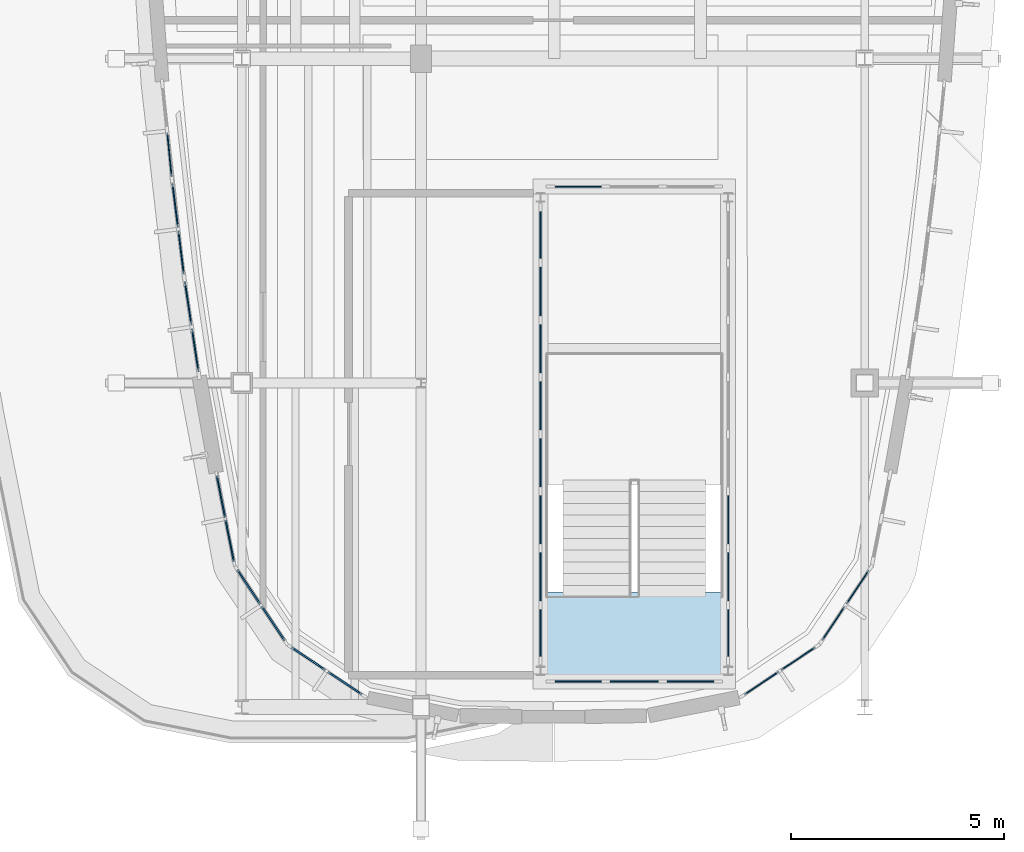
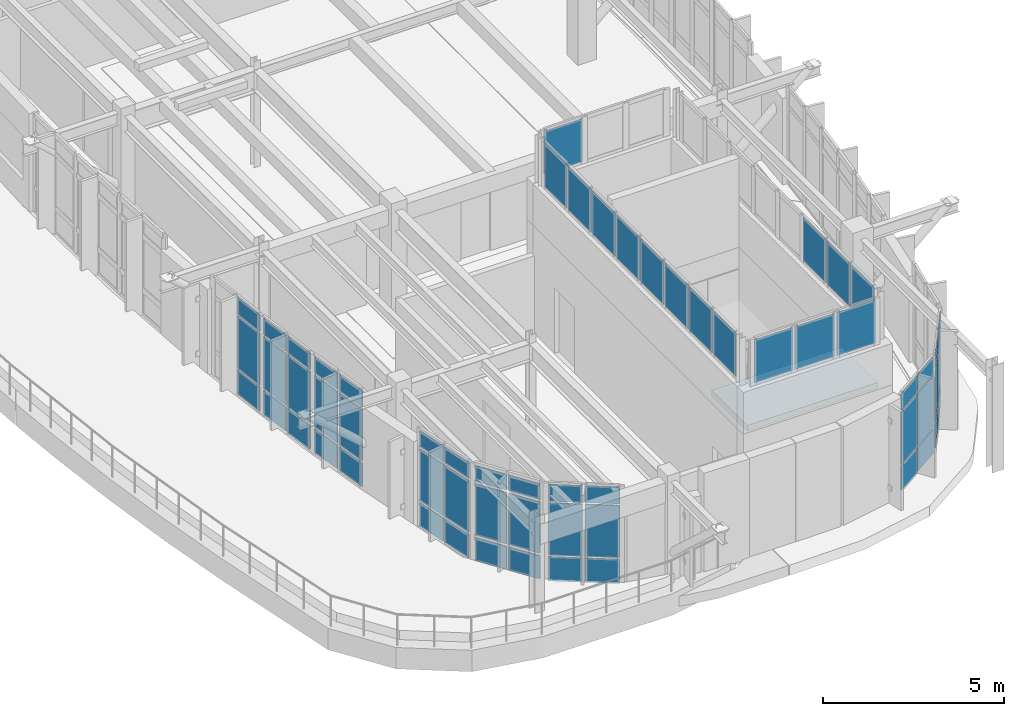
# One storey, part 12 of 20: 60 plates, 1 slab, 13 elements without a shape of their own.
"""IFC4 building model written with IfcOpenShell, lengths in metres."""

import ifcopenshell
import ifcopenshell.guid

model = None  # the IFC model being written
_history = None  # IfcOwnerHistory: only IFC2X3 demands one
_inside = {}  # id of a spatial element -> (the spatial element, [elements in it])
_under = {}  # id of a project, library or spatial element -> (it, [spatial elements below it])
_declared = {}  # id of a project -> (the project, [libraries it declares])
_typed = {}  # id of a type object -> (the type object, [elements of that type])
_made_of = {}  # id of a material, layer set ... -> (it, [elements and type objects made of it])


def new_model(schema):
    """Start an empty IFC model of exactly this schema.

    Asked for "IFC4X3", IfcOpenShell would pick the latest addendum, in which some entities
    have other attributes; the version numbers below select the first issue.
    IFC2X3 requires an IfcOwnerHistory on every rooted entity: one is made here for all.
    """
    global model, _history
    if schema == "IFC4X3":
        model = ifcopenshell.file(schema_version=(4, 3, 0, 0))
    else:
        model = ifcopenshell.file(schema=schema)
    _inside.clear()
    _under.clear()
    _declared.clear()
    _typed.clear()
    _made_of.clear()
    _history = None
    if model.schema == "IFC2X3":
        org = make("IfcOrganization", Name="unknown")
        user = make(
            "IfcPersonAndOrganization",
            ThePerson=make("IfcPerson", FamilyName="unknown"),
            TheOrganization=org,
        )
        app = make(
            "IfcApplication",
            ApplicationDeveloper=org,
            Version="unknown",
            ApplicationFullName="unknown",
            ApplicationIdentifier="unknown",
        )
        _history = make(
            "IfcOwnerHistory",
            OwningUser=user,
            OwningApplication=app,
            ChangeAction="ADDED",
            CreationDate=0,
        )
    return model


def make(cls, **values):
    """One entity of the class cls with the attributes given. An attribute that is None is left unset."""
    return model.create_entity(
        cls, **{name: value for name, value in values.items() if value is not None}
    )


def rooted(cls, **values):
    """An entity with a GlobalId (a new one), such as an element, a storey or a relation."""
    return make(cls, GlobalId=ifcopenshell.guid.new(), OwnerHistory=_history, **values)


def si_unit(unit_type, name, prefix=None):
    """IfcSIUnit, for example si_unit("LENGTHUNIT", "METRE", prefix="MILLI")."""
    return make("IfcSIUnit", UnitType=unit_type, Prefix=prefix, Name=name)


def assignment(units):
    """IfcUnitAssignment: the units of a project."""
    return None if units is None else make("IfcUnitAssignment", Units=units)


def point(xyz):
    """IfcCartesianPoint."""
    return None if xyz is None else make("IfcCartesianPoint", Coordinates=xyz)


def direction(xyz):
    """IfcDirection."""
    return None if xyz is None else make("IfcDirection", DirectionRatios=xyz)


def frame(location, z_axis=None, x_axis=None):
    """IfcAxis2Placement3D, a coordinate frame: its origin and axes. An axis left out is left unset."""
    return make(
        "IfcAxis2Placement3D",
        Location=point(location),
        Axis=direction(z_axis),
        RefDirection=direction(x_axis),
    )


def frame_2d(location, x_axis=None):
    """IfcAxis2Placement2D, a coordinate frame in the plane: its origin and x axis."""
    return make(
        "IfcAxis2Placement2D", Location=point(location), RefDirection=direction(x_axis)
    )


def origin():
    """The frame at (0, 0, 0) with its axes left unset."""
    return frame((0.0, 0.0, 0.0))


def origin_2d():
    """The frame at (0, 0) in the plane with its x axis left unset."""
    return frame_2d((0.0, 0.0))


def place(relative_to, where):
    """IfcLocalPlacement: puts the frame where relative to a parent placement (None: the world)."""
    return make(
        "IfcLocalPlacement", PlacementRelTo=relative_to, RelativePlacement=where
    )


def context(
    kind, dimensions, precision=None, world=None, true_north=None, identifier=None
):
    """IfcGeometricRepresentationContext, for example the 3D "Model" context."""
    return make(
        "IfcGeometricRepresentationContext",
        ContextIdentifier=identifier,
        ContextType=kind,
        CoordinateSpaceDimension=dimensions,
        Precision=precision,
        WorldCoordinateSystem=world,
        TrueNorth=true_north,
    )


def subcontext(parent, identifier, kind, view, scale=None):
    """IfcGeometricRepresentationSubContext, for example "Body" below "Model"."""
    return make(
        "IfcGeometricRepresentationSubContext",
        ContextIdentifier=identifier,
        ContextType=kind,
        ParentContext=parent,
        TargetScale=scale,
        TargetView=view,
    )


def project(units=None, contexts=None):
    """IfcProject with its units and contexts."""
    return rooted(
        "IfcProject",
        Name="project",
        RepresentationContexts=contexts,
        UnitsInContext=assignment(units),
    )


def spatial(cls, under=None, at=None, **own):
    """A site, building, storey or space (cls), placed at a placement, below another one or the project."""
    s = rooted(cls, ObjectPlacement=at, **own)
    if under is not None:
        _under.setdefault(under.id(), (under, []))[1].append(s)
    return s


def polyline(points):
    """IfcPolyline through the points."""
    return make("IfcPolyline", Points=[point(p) for p in points])


def profile(cls, at=None, kind="AREA", **sizes):
    """A parametric profile (cls). Its sizes go by their IFC names, for example OverallWidth=200.0."""
    return make(cls, ProfileType=kind, Position=at, **sizes)


def rectangle(**sizes):
    """IfcRectangleProfileDef."""
    return profile("IfcRectangleProfileDef", **sizes)


def outline(outer, holes=None, kind="AREA"):
    """IfcArbitraryClosedProfileDef: a profile drawn as a closed curve; with holes, ...WithVoids."""
    if holes is None:
        return make("IfcArbitraryClosedProfileDef", ProfileType=kind, OuterCurve=outer)
    return make(
        "IfcArbitraryProfileDefWithVoids",
        ProfileType=kind,
        OuterCurve=outer,
        InnerCurves=holes,
    )


def extrude(swept, where, along, depth):
    """IfcExtrudedAreaSolid: the profile swept, set in the frame where, extruded along a direction by depth."""
    return make(
        "IfcExtrudedAreaSolid",
        SweptArea=swept,
        Position=where,
        ExtrudedDirection=direction(along),
        Depth=depth,
    )


def shape(context_of_items, identifier, shape_type, items):
    """IfcShapeRepresentation: the items that make up one representation, for example the "Body"."""
    return make(
        "IfcShapeRepresentation",
        ContextOfItems=context_of_items,
        RepresentationIdentifier=identifier,
        RepresentationType=shape_type,
        Items=items,
    )


def material(Name=None, Category=None):
    """IfcMaterial."""
    return make("IfcMaterial", Name=Name, Category=Category)


def layer(
    of_material, thickness, ventilated=None, Name=None, Category=None, Priority=None
):
    """IfcMaterialLayer: one layer of a wall or slab, of a material (None: an air gap)."""
    return make(
        "IfcMaterialLayer",
        Material=of_material,
        LayerThickness=thickness,
        IsVentilated=ventilated,
        Name=Name,
        Category=Category,
        Priority=Priority,
    )


def layer_set(layers, Name=None):
    """IfcMaterialLayerSet."""
    return make("IfcMaterialLayerSet", MaterialLayers=layers, LayerSetName=Name)


def made_of(thing, what):
    """Note that an element or type object is made of a material, layer set ...; save() writes the relation."""
    if what is not None:
        _made_of.setdefault(what.id(), (what, []))[1].append(thing)
    return thing


def type_object(cls, material=None, **own):
    """A type object (cls), such as IfcWallType, which elements share."""
    return made_of(rooted(cls, **own), material)


def element(
    cls,
    number,
    at=None,
    inside=None,
    cuts=None,
    type_object=None,
    material=None,
    context=None,
    identifier="Body",
    shape_type=None,
    held_by="IfcProductDefinitionShape",
    body=None,
    shapes=None,
    **own,
):
    """One element of the class cls, such as IfcWall. Its Tag is "e" and its number.

    at: its placement. inside: the storey or other place that contains it. cuts: it is an
    opening in that element (IfcRelVoidsElement). A single representation is given by context,
    identifier, shape_type and body (its items); several are given by shapes. held_by: the class
    of the entity that holds the representations. save() writes the other relations.
    """
    e = rooted(cls, Tag="e%d" % number, ObjectPlacement=at, **own)
    if body is not None:
        shapes = [shape(context, identifier, shape_type, body)]
    if shapes is not None:
        e.Representation = make(held_by, Representations=shapes)
    if inside is not None:
        _inside.setdefault(inside.id(), (inside, []))[1].append(e)
    if cuts is not None:
        rooted(
            "IfcRelVoidsElement", RelatingBuildingElement=cuts, RelatedOpeningElement=e
        )
    if type_object is not None:
        _typed.setdefault(type_object.id(), (type_object, []))[1].append(e)
    return made_of(e, material)


def aggregate(whole, parts):
    """IfcRelAggregates: a whole, such as a stair, and the parts it consists of."""
    return rooted("IfcRelAggregates", RelatingObject=whole, RelatedObjects=parts)


def save(model, path):
    """Write the relations noted so far, then the file.

    IfcRelAggregates (storeys below a building ...), IfcRelContainedInSpatialStructure (elements
    in a storey), IfcRelDefinesByType, IfcRelAssociatesMaterial and IfcRelDeclares: one each for
    every whole, place, type object, material and project.
    """
    for whole, parts in _under.values():
        aggregate(whole, parts)
    for where, things in _inside.values():
        rooted(
            "IfcRelContainedInSpatialStructure",
            RelatedElements=things,
            RelatingStructure=where,
        )
    for kind, things in _typed.values():
        rooted("IfcRelDefinesByType", RelatedObjects=things, RelatingType=kind)
    for what, things in _made_of.values():
        rooted("IfcRelAssociatesMaterial", RelatedObjects=things, RelatingMaterial=what)
    for by, libraries in _declared.values():
        rooted("IfcRelDeclares", RelatingContext=by, RelatedDefinitions=libraries)
    model.write(path)


model = new_model("IFC4")

# Units and contexts
model_context = context("Model", 3, precision=1e-05, world=origin(), true_north=direction((0.0, 1.0)))
body_context = subcontext(model_context, "Body", "Model", "MODEL_VIEW")
ifc_project = project(units=[si_unit("LENGTHUNIT", "METRE"), si_unit("AREAUNIT", "SQUARE_METRE"), si_unit("VOLUMEUNIT", "CUBIC_METRE"), si_unit("PLANEANGLEUNIT", "RADIAN"), si_unit("MASSUNIT", "GRAM", prefix="KILO")], contexts=[model_context])

# Site, building, storey
site_placement = place(None, origin())
site = spatial("IfcSite", under=ifc_project, at=site_placement, CompositionType="ELEMENT")
building_placement = place(site_placement, origin())
building = spatial("IfcBuilding", under=site, at=building_placement, Name="Corveleigh Park Community Centre", CompositionType="ELEMENT")
storey_placement = place(building_placement, frame((0.0, 0.0, 19.800048828125)))
storey = spatial("IfcBuildingStorey", under=building, at=storey_placement, Name="L05", CompositionType="ELEMENT", Elevation=19.800048828125)

# Curtain wall, plates
ifc_material_1 = material(Name="Anodised aluminium 6063-T6", Category="aluminium")
curtain_wall_type = type_object("IfcCurtainWallType", Name="CW-SYS-V4-L03", PredefinedType="NOTDEFINED", material=ifc_material_1)
curtain_wall_1_placement = place(storey_placement, origin())
curtain_wall_1 = element("IfcCurtainWall", 1, at=curtain_wall_1_placement, inside=storey, type_object=curtain_wall_type, Name="V4 L05 Curtain Wall 471", PredefinedType="NOTDEFINED")
ifc_material_2 = material(Name="Low-E double glazing", Category="glass")
ifc_layer_1 = layer(ifc_material_2, 0.028076171875, Name="Low-E double glazing", Category="glass")
ifc_layer_set_1 = layer_set([ifc_layer_1], Name="Low-E double glazing")
plate_type_1 = type_object("IfcPlateType", Name="CWP-GLZ-28", PredefinedType="CURTAIN_PANEL", material=ifc_layer_set_1)
plate_1_placement = place(storey_placement, frame((166.839599609375, 59.735595703125, 0.059814453125), z_axis=(0.0, 0.0, 1.0), x_axis=(-0.831544296886, -0.555458443376, 0.0)))
plate_1 = element("IfcPlate", 2, at=plate_1_placement, type_object=plate_type_1, Name="CW09 panel 1.1", PredefinedType="CURTAIN_PANEL", context=body_context, shape_type="SweptSolid", body=[
    extrude(rectangle(XDim=0.9599609375, YDim=0.028076171875, at=origin_2d()), origin(), (0.0, 0.0, 1.0), 0.81005859375),
])
plate_2_placement = place(storey_placement, frame((166.839599609375, 59.735595703125, 0.929931640625), z_axis=(0.0, 0.0, 1.0), x_axis=(-0.831544296886, -0.555458443376, 0.0)))
plate_2 = element("IfcPlate", 3, at=plate_2_placement, type_object=plate_type_1, Name="CW09 panel 1.2", PredefinedType="CURTAIN_PANEL", context=body_context, shape_type="SweptSolid", body=[
    extrude(rectangle(XDim=0.9599609375, YDim=0.028076171875, at=origin_2d()), origin(), (0.0, 0.0, 1.0), 1.75390625),
])
plate_3_placement = place(storey_placement, frame((166.839599609375, 59.735595703125, 2.743896484375), z_axis=(0.0, 0.0, 1.0), x_axis=(-0.831544296886, -0.555458443376, 0.0)))
plate_3 = element("IfcPlate", 4, at=plate_3_placement, type_object=plate_type_1, Name="CW09 panel 1.3", PredefinedType="CURTAIN_PANEL", context=body_context, shape_type="SweptSolid", body=[
    extrude(rectangle(XDim=0.9599609375, YDim=0.028076171875, at=origin_2d()), origin(), (0.0, 0.0, 1.0), 0.56005859375),
])
plate_4_placement = place(storey_placement, frame((165.9833984375, 59.16357421875, 0.059814453125), z_axis=(0.0, 0.0, 1.0), x_axis=(-0.831544296886, -0.555458443376, 0.0)))
plate_4 = element("IfcPlate", 5, at=plate_4_placement, type_object=plate_type_1, Name="CW09 panel 2.1", PredefinedType="CURTAIN_PANEL", context=body_context, shape_type="SweptSolid", body=[
    extrude(rectangle(XDim=0.9599609375, YDim=0.028076171875, at=origin_2d()), origin(), (0.0, 0.0, 1.0), 0.81005859375),
])
plate_5_placement = place(storey_placement, frame((165.9833984375, 59.16357421875, 0.929931640625), z_axis=(0.0, 0.0, 1.0), x_axis=(-0.831544296886, -0.555458443376, 0.0)))
plate_5 = element("IfcPlate", 6, at=plate_5_placement, type_object=plate_type_1, Name="CW09 panel 2.2", PredefinedType="CURTAIN_PANEL", context=body_context, shape_type="SweptSolid", body=[
    extrude(rectangle(XDim=0.9599609375, YDim=0.028076171875, at=origin_2d()), origin(), (0.0, 0.0, 1.0), 1.75390625),
])
plate_6_placement = place(storey_placement, frame((165.9833984375, 59.16357421875, 2.743896484375), z_axis=(0.0, 0.0, 1.0), x_axis=(-0.831544296886, -0.555458443376, 0.0)))
plate_6 = element("IfcPlate", 7, at=plate_6_placement, type_object=plate_type_1, Name="CW09 panel 2.3", PredefinedType="CURTAIN_PANEL", context=body_context, shape_type="SweptSolid", body=[
    extrude(rectangle(XDim=0.9599609375, YDim=0.028076171875, at=origin_2d()), origin(), (0.0, 0.0, 1.0), 0.56005859375),
])
aggregate(curtain_wall_1, [plate_1, plate_2, plate_3, plate_4, plate_5, plate_6])

curtain_wall_2_placement = place(storey_placement, origin())
curtain_wall_2 = element("IfcCurtainWall", 8, at=curtain_wall_2_placement, inside=storey, type_object=curtain_wall_type, Name="V4 L05 Curtain Wall 472", PredefinedType="NOTDEFINED")
plate_7_placement = place(storey_placement, frame((168.23583984375, 61.415771484375, 0.06494140625), z_axis=(0.0, 0.0, 1.0), x_axis=(-0.555458443376, -0.831544296886, 0.0)))
plate_7 = element("IfcPlate", 9, at=plate_7_placement, type_object=plate_type_1, Name="CW09 panel 1.1", PredefinedType="CURTAIN_PANEL", context=body_context, shape_type="SweptSolid", body=[
    extrude(rectangle(XDim=0.952392578125, YDim=0.028076171875, at=origin_2d()), origin(), (0.0, 0.0, 1.0), 0.802490234375),
])
plate_8_placement = place(storey_placement, frame((168.23583984375, 61.415771484375, 0.932373046875), z_axis=(0.0, 0.0, 1.0), x_axis=(-0.555458443376, -0.831544296886, 0.0)))
plate_8 = element("IfcPlate", 10, at=plate_8_placement, type_object=plate_type_1, Name="CW09 panel 1.2", PredefinedType="CURTAIN_PANEL", context=body_context, shape_type="SweptSolid", body=[
    extrude(rectangle(XDim=0.952392578125, YDim=0.028076171875, at=origin_2d()), origin(), (0.0, 0.0, 1.0), 1.7490234375),
])
plate_9_placement = place(storey_placement, frame((168.23583984375, 61.415771484375, 2.74658203125), z_axis=(0.0, 0.0, 1.0), x_axis=(-0.555458443376, -0.831544296886, 0.0)))
plate_9 = element("IfcPlate", 11, at=plate_9_placement, type_object=plate_type_1, Name="CW09 panel 1.3", PredefinedType="CURTAIN_PANEL", context=body_context, shape_type="SweptSolid", body=[
    extrude(rectangle(XDim=0.952392578125, YDim=0.028076171875, at=origin_2d()), origin(), (0.0, 0.0, 1.0), 0.552490234375),
])
plate_10_placement = place(storey_placement, frame((167.665283203125, 60.561279296875, 0.06494140625), z_axis=(0.0, 0.0, 1.0), x_axis=(-0.555458443376, -0.831544296886, 0.0)))
plate_10 = element("IfcPlate", 12, at=plate_10_placement, type_object=plate_type_1, Name="CW09 panel 2.1", PredefinedType="CURTAIN_PANEL", context=body_context, shape_type="SweptSolid", body=[
    extrude(rectangle(XDim=0.952392578125, YDim=0.028076171875, at=origin_2d()), origin(), (0.0, 0.0, 1.0), 0.802490234375),
])
plate_11_placement = place(storey_placement, frame((167.665283203125, 60.561279296875, 0.932373046875), z_axis=(0.0, 0.0, 1.0), x_axis=(-0.555458443376, -0.831544296886, 0.0)))
plate_11 = element("IfcPlate", 13, at=plate_11_placement, type_object=plate_type_1, Name="CW09 panel 2.2", PredefinedType="CURTAIN_PANEL", context=body_context, shape_type="SweptSolid", body=[
    extrude(rectangle(XDim=0.952392578125, YDim=0.028076171875, at=origin_2d()), origin(), (0.0, 0.0, 1.0), 1.7490234375),
])
plate_12_placement = place(storey_placement, frame((167.665283203125, 60.561279296875, 2.74658203125), z_axis=(0.0, 0.0, 1.0), x_axis=(-0.555458443376, -0.831544296886, 0.0)))
plate_12 = element("IfcPlate", 14, at=plate_12_placement, type_object=plate_type_1, Name="CW09 panel 2.3", PredefinedType="CURTAIN_PANEL", context=body_context, shape_type="SweptSolid", body=[
    extrude(rectangle(XDim=0.952392578125, YDim=0.028076171875, at=origin_2d()), origin(), (0.0, 0.0, 1.0), 0.552490234375),
])
aggregate(curtain_wall_2, [plate_7, plate_8, plate_9, plate_10, plate_11, plate_12])

curtain_wall_3_placement = place(storey_placement, origin())
curtain_wall_3 = element("IfcCurtainWall", 15, at=curtain_wall_3_placement, inside=storey, type_object=curtain_wall_type, Name="V4 L05 Curtain Wall 496", PredefinedType="NOTDEFINED")
plate_13_placement = place(storey_placement, frame((152.102783203125, 71.552978515625, 0.059814453125), z_axis=(0.0, 0.0, 1.0), x_axis=(-0.099719288676, 0.995015609659, 0.0)))
plate_13 = element("IfcPlate", 16, at=plate_13_placement, type_object=plate_type_1, Name="CW09 panel 1.1", PredefinedType="CURTAIN_PANEL", context=body_context, shape_type="SweptSolid", body=[
    extrude(rectangle(XDim=1.03564453125, YDim=0.028076171875, at=origin_2d()), origin(), (0.0, 0.0, 1.0), 0.81005859375),
])
plate_14_placement = place(storey_placement, frame((152.102783203125, 71.552978515625, 0.929931640625), z_axis=(0.0, 0.0, 1.0), x_axis=(-0.099719288676, 0.995015609659, 0.0)))
plate_14 = element("IfcPlate", 17, at=plate_14_placement, type_object=plate_type_1, Name="CW09 panel 1.2", PredefinedType="CURTAIN_PANEL", context=body_context, shape_type="SweptSolid", body=[
    extrude(rectangle(XDim=1.03564453125, YDim=0.028076171875, at=origin_2d()), origin(), (0.0, 0.0, 1.0), 1.75390625),
])
plate_15_placement = place(storey_placement, frame((152.102783203125, 71.552978515625, 2.743896484375), z_axis=(0.0, 0.0, 1.0), x_axis=(-0.099719288676, 0.995015609659, 0.0)))
plate_15 = element("IfcPlate", 18, at=plate_15_placement, type_object=plate_type_1, Name="CW09 panel 1.3", PredefinedType="CURTAIN_PANEL", context=body_context, shape_type="SweptSolid", body=[
    extrude(rectangle(XDim=1.03564453125, YDim=0.028076171875, at=origin_2d()), origin(), (0.0, 0.0, 1.0), 0.56005859375),
])
aggregate(curtain_wall_3, [plate_13, plate_14, plate_15])

curtain_wall_4_placement = place(storey_placement, origin())
curtain_wall_4 = element("IfcCurtainWall", 19, at=curtain_wall_4_placement, inside=storey, type_object=curtain_wall_type, Name="Crown Lantern S Clerestory", PredefinedType="NOTDEFINED")
plate_16_placement = place(storey_placement, frame((161.68408203125, 59.199951171875, 5.06494140625), z_axis=(0.0, 0.0, 1.0), x_axis=(1.0, 0.0, 0.0)))
plate_16 = element("IfcPlate", 20, at=plate_16_placement, type_object=plate_type_1, Name="CW09 panel 1.1", PredefinedType="CURTAIN_PANEL", context=body_context, shape_type="SweptSolid", body=[
    extrude(rectangle(XDim=1.228271484375, YDim=0.028076171875, at=origin_2d()), origin(), (0.0, 0.0, 1.0), 1.449951171875),
])
plate_17_placement = place(storey_placement, frame((163.0, 59.199951171875, 5.06494140625), z_axis=(0.0, 0.0, 1.0), x_axis=(1.0, 0.0, 0.0)))
plate_17 = element("IfcPlate", 21, at=plate_17_placement, type_object=plate_type_1, Name="CW09 panel 2.1", PredefinedType="CURTAIN_PANEL", context=body_context, shape_type="SweptSolid", body=[
    extrude(rectangle(XDim=1.263427734375, YDim=0.028076171875, at=origin_2d()), origin(), (0.0, 0.0, 1.0), 1.449951171875),
])
plate_18_placement = place(storey_placement, frame((164.31591796875, 59.199951171875, 5.06494140625), z_axis=(0.0, 0.0, 1.0), x_axis=(1.0, 0.0, 0.0)))
plate_18 = element("IfcPlate", 22, at=plate_18_placement, type_object=plate_type_1, Name="CW09 panel 3.1", PredefinedType="CURTAIN_PANEL", context=body_context, shape_type="SweptSolid", body=[
    extrude(rectangle(XDim=1.228271484375, YDim=0.028076171875, at=origin_2d()), origin(), (0.0, 0.0, 1.0), 1.449951171875),
])
aggregate(curtain_wall_4, [plate_16, plate_17, plate_18])

# Curtain wall, plate
curtain_wall_5_placement = place(storey_placement, origin())
curtain_wall_5 = element("IfcCurtainWall", 23, at=curtain_wall_5_placement, inside=storey, type_object=curtain_wall_type, Name="Crown Lantern N Clerestory", PredefinedType="NOTDEFINED")
plate_19_placement = place(storey_placement, frame((161.68408203125, 70.800048828125, 5.06494140625), z_axis=(0.0, 0.0, 1.0), x_axis=(-1.0, 0.0, 0.0)))
plate_19 = element("IfcPlate", 24, at=plate_19_placement, type_object=plate_type_1, Name="CW09 panel 3.1", PredefinedType="CURTAIN_PANEL", context=body_context, shape_type="SweptSolid", body=[
    extrude(rectangle(XDim=1.228271484375, YDim=0.028076171875, at=origin_2d()), origin(), (0.0, 0.0, 1.0), 1.449951171875),
])
aggregate(curtain_wall_5, [plate_19])

# Curtain wall, plates
curtain_wall_6_placement = place(storey_placement, origin())
curtain_wall_6 = element("IfcCurtainWall", 25, at=curtain_wall_6_placement, inside=storey, type_object=curtain_wall_type, Name="Crown Lantern E Clerestory", PredefinedType="NOTDEFINED")
plate_20_placement = place(storey_placement, frame((165.199951171875, 60.336181640625, 5.06494140625), z_axis=(0.0, 0.0, 1.0), x_axis=(0.0, 1.0, 0.0)))
plate_20 = element("IfcPlate", 26, at=plate_20_placement, type_object=plate_type_1, Name="CW09 panel 1.1", PredefinedType="CURTAIN_PANEL", context=body_context, shape_type="SweptSolid", body=[
    extrude(rectangle(XDim=1.232421875, YDim=0.028076171875, at=origin_2d()), origin(), (0.0, 0.0, 1.0), 1.449951171875),
])
plate_21_placement = place(storey_placement, frame((165.199951171875, 61.65625, 5.06494140625), z_axis=(0.0, 0.0, 1.0), x_axis=(0.0, 1.0, 0.0)))
plate_21 = element("IfcPlate", 27, at=plate_21_placement, type_object=plate_type_1, Name="CW09 panel 2.1", PredefinedType="CURTAIN_PANEL", context=body_context, shape_type="SweptSolid", body=[
    extrude(rectangle(XDim=1.267578125, YDim=0.028076171875, at=origin_2d()), origin(), (0.0, 0.0, 1.0), 1.449951171875),
])
plate_22_placement = place(storey_placement, frame((165.199951171875, 62.99365234375, 5.06494140625), z_axis=(0.0, 0.0, 1.0), x_axis=(0.0, 1.0, 0.0)))
plate_22 = element("IfcPlate", 28, at=plate_22_placement, type_object=plate_type_1, Name="CW09 panel 3.1", PredefinedType="CURTAIN_PANEL", context=body_context, shape_type="SweptSolid", body=[
    extrude(rectangle(XDim=1.267578125, YDim=0.028076171875, at=origin_2d()), origin(), (0.0, 0.0, 1.0), 1.449951171875),
])
aggregate(curtain_wall_6, [plate_20, plate_21, plate_22])

curtain_wall_7_placement = place(storey_placement, origin())
curtain_wall_7 = element("IfcCurtainWall", 29, at=curtain_wall_7_placement, inside=storey, type_object=curtain_wall_type, Name="Crown Lantern W Clerestory", PredefinedType="NOTDEFINED")
plate_23_placement = place(storey_placement, frame((160.800048828125, 69.663818359375, 5.06494140625), z_axis=(0.0, 0.0, 1.0), x_axis=(0.0, -1.0, 0.0)))
plate_23 = element("IfcPlate", 30, at=plate_23_placement, type_object=plate_type_1, Name="CW09 panel 1.1", PredefinedType="CURTAIN_PANEL", context=body_context, shape_type="SweptSolid", body=[
    extrude(rectangle(XDim=1.232421875, YDim=0.028076171875, at=origin_2d()), origin(), (0.0, 0.0, 1.0), 1.449951171875),
])
plate_24_placement = place(storey_placement, frame((160.800048828125, 68.34375, 5.06494140625), z_axis=(0.0, 0.0, 1.0), x_axis=(0.0, -1.0, 0.0)))
plate_24 = element("IfcPlate", 31, at=plate_24_placement, type_object=plate_type_1, Name="CW09 panel 2.1", PredefinedType="CURTAIN_PANEL", context=body_context, shape_type="SweptSolid", body=[
    extrude(rectangle(XDim=1.267578125, YDim=0.028076171875, at=origin_2d()), origin(), (0.0, 0.0, 1.0), 1.449951171875),
])
plate_25_placement = place(storey_placement, frame((160.800048828125, 67.00634765625, 5.06494140625), z_axis=(0.0, 0.0, 1.0), x_axis=(0.0, -1.0, 0.0)))
plate_25 = element("IfcPlate", 32, at=plate_25_placement, type_object=plate_type_1, Name="CW09 panel 3.1", PredefinedType="CURTAIN_PANEL", context=body_context, shape_type="SweptSolid", body=[
    extrude(rectangle(XDim=1.267578125, YDim=0.028076171875, at=origin_2d()), origin(), (0.0, 0.0, 1.0), 1.449951171875),
])
plate_26_placement = place(storey_placement, frame((160.800048828125, 65.668701171875, 5.06494140625), z_axis=(0.0, 0.0, 1.0), x_axis=(0.0, -1.0, 0.0)))
plate_26 = element("IfcPlate", 33, at=plate_26_placement, type_object=plate_type_1, Name="CW09 panel 4.1", PredefinedType="CURTAIN_PANEL", context=body_context, shape_type="SweptSolid", body=[
    extrude(rectangle(XDim=1.267578125, YDim=0.028076171875, at=origin_2d()), origin(), (0.0, 0.0, 1.0), 1.449951171875),
])
plate_27_placement = place(storey_placement, frame((160.800048828125, 64.331298828125, 5.06494140625), z_axis=(0.0, 0.0, 1.0), x_axis=(0.0, -1.0, 0.0)))
plate_27 = element("IfcPlate", 34, at=plate_27_placement, type_object=plate_type_1, Name="CW09 panel 5.1", PredefinedType="CURTAIN_PANEL", context=body_context, shape_type="SweptSolid", body=[
    extrude(rectangle(XDim=1.267578125, YDim=0.028076171875, at=origin_2d()), origin(), (0.0, 0.0, 1.0), 1.449951171875),
])
plate_28_placement = place(storey_placement, frame((160.800048828125, 62.99365234375, 5.06494140625), z_axis=(0.0, 0.0, 1.0), x_axis=(0.0, -1.0, 0.0)))
plate_28 = element("IfcPlate", 35, at=plate_28_placement, type_object=plate_type_1, Name="CW09 panel 6.1", PredefinedType="CURTAIN_PANEL", context=body_context, shape_type="SweptSolid", body=[
    extrude(rectangle(XDim=1.267578125, YDim=0.028076171875, at=origin_2d()), origin(), (0.0, 0.0, 1.0), 1.449951171875),
])
plate_29_placement = place(storey_placement, frame((160.800048828125, 61.65625, 5.06494140625), z_axis=(0.0, 0.0, 1.0), x_axis=(0.0, -1.0, 0.0)))
plate_29 = element("IfcPlate", 36, at=plate_29_placement, type_object=plate_type_1, Name="CW09 panel 7.1", PredefinedType="CURTAIN_PANEL", context=body_context, shape_type="SweptSolid", body=[
    extrude(rectangle(XDim=1.267578125, YDim=0.028076171875, at=origin_2d()), origin(), (0.0, 0.0, 1.0), 1.449951171875),
])
plate_30_placement = place(storey_placement, frame((160.800048828125, 60.336181640625, 5.06494140625), z_axis=(0.0, 0.0, 1.0), x_axis=(0.0, -1.0, 0.0)))
plate_30 = element("IfcPlate", 37, at=plate_30_placement, type_object=plate_type_1, Name="CW09 panel 8.1", PredefinedType="CURTAIN_PANEL", context=body_context, shape_type="SweptSolid", body=[
    extrude(rectangle(XDim=1.232421875, YDim=0.028076171875, at=origin_2d()), origin(), (0.0, 0.0, 1.0), 1.449951171875),
])
aggregate(curtain_wall_7, [plate_23, plate_24, plate_25, plate_26, plate_27, plate_28, plate_29, plate_30])

curtain_wall_8_placement = place(storey_placement, origin())
curtain_wall_8 = element("IfcCurtainWall", 38, at=curtain_wall_8_placement, inside=storey, type_object=curtain_wall_type, Name="V4 L05 Curtain Wall 497", PredefinedType="NOTDEFINED")
ifc_layer_2 = layer(ifc_material_2, 0.031982421875, Name="Low-E double glazing", Category="glass")
ifc_layer_set_2 = layer_set([ifc_layer_2], Name="Low-E double glazing")
plate_type_2 = type_object("IfcPlateType", Name="CWP-GLZ-32", PredefinedType="CURTAIN_PANEL", material=ifc_layer_set_2)
plate_31_placement = place(storey_placement, frame((152.376708984375, 69.2548828125, 0.06494140625), z_axis=(0.0, 0.0, 1.0), x_axis=(-0.124891623628, 0.992170389776, 0.0)))
plate_31 = element("IfcPlate", 39, at=plate_31_placement, type_object=plate_type_2, Name="CW09 panel 1.1", PredefinedType="CURTAIN_PANEL", context=body_context, shape_type="SweptSolid", body=[
    extrude(rectangle(XDim=1.029052734375, YDim=0.031982421875, at=origin_2d()), origin(), (0.0, 0.0, 1.0), 0.802490234375),
])
plate_32_placement = place(storey_placement, frame((152.376708984375, 69.2548828125, 0.932373046875), z_axis=(0.0, 0.0, 1.0), x_axis=(-0.124891623628, 0.992170389776, 0.0)))
plate_32 = element("IfcPlate", 40, at=plate_32_placement, type_object=plate_type_2, Name="CW09 panel 1.2", PredefinedType="CURTAIN_PANEL", context=body_context, shape_type="SweptSolid", body=[
    extrude(rectangle(XDim=1.029052734375, YDim=0.031982421875, at=origin_2d()), origin(), (0.0, 0.0, 1.0), 1.7490234375),
])
plate_33_placement = place(storey_placement, frame((152.376708984375, 69.2548828125, 2.74658203125), z_axis=(0.0, 0.0, 1.0), x_axis=(-0.124891623628, 0.992170389776, 0.0)))
plate_33 = element("IfcPlate", 41, at=plate_33_placement, type_object=plate_type_2, Name="CW09 panel 1.3", PredefinedType="CURTAIN_PANEL", context=body_context, shape_type="SweptSolid", body=[
    extrude(rectangle(XDim=1.029052734375, YDim=0.031982421875, at=origin_2d()), origin(), (0.0, 0.0, 1.0), 0.552490234375),
])
plate_34_placement = place(storey_placement, frame((152.23828125, 70.355224609375, 0.06494140625), z_axis=(0.0, 0.0, 1.0), x_axis=(-0.124891623628, 0.992170389776, 0.0)))
plate_34 = element("IfcPlate", 42, at=plate_34_placement, type_object=plate_type_2, Name="CW09 panel 2.1", PredefinedType="CURTAIN_PANEL", context=body_context, shape_type="SweptSolid", body=[
    extrude(rectangle(XDim=1.029052734375, YDim=0.031982421875, at=origin_2d()), origin(), (0.0, 0.0, 1.0), 0.802490234375),
])
plate_35_placement = place(storey_placement, frame((152.23828125, 70.355224609375, 0.932373046875), z_axis=(0.0, 0.0, 1.0), x_axis=(-0.124891623628, 0.992170389776, 0.0)))
plate_35 = element("IfcPlate", 43, at=plate_35_placement, type_object=plate_type_2, Name="CW09 panel 2.2", PredefinedType="CURTAIN_PANEL", context=body_context, shape_type="SweptSolid", body=[
    extrude(rectangle(XDim=1.029052734375, YDim=0.031982421875, at=origin_2d()), origin(), (0.0, 0.0, 1.0), 1.7490234375),
])
plate_36_placement = place(storey_placement, frame((152.23828125, 70.355224609375, 2.74658203125), z_axis=(0.0, 0.0, 1.0), x_axis=(-0.124891623628, 0.992170389776, 0.0)))
plate_36 = element("IfcPlate", 44, at=plate_36_placement, type_object=plate_type_2, Name="CW09 panel 2.3", PredefinedType="CURTAIN_PANEL", context=body_context, shape_type="SweptSolid", body=[
    extrude(rectangle(XDim=1.029052734375, YDim=0.031982421875, at=origin_2d()), origin(), (0.0, 0.0, 1.0), 0.552490234375),
])
aggregate(curtain_wall_8, [plate_31, plate_32, plate_33, plate_34, plate_35, plate_36])

curtain_wall_9_placement = place(storey_placement, origin())
curtain_wall_9 = element("IfcCurtainWall", 45, at=curtain_wall_9_placement, inside=storey, type_object=curtain_wall_type, Name="V4 L05 Curtain Wall 498", PredefinedType="NOTDEFINED")
plate_37_placement = place(storey_placement, frame((152.70703125, 66.966064453125, 0.070068359375), z_axis=(0.0, 0.0, 1.0), x_axis=(-0.149276778011, 0.988795450812, 0.0)))
plate_37 = element("IfcPlate", 46, at=plate_37_placement, type_object=plate_type_2, Name="CW09 panel 1.1", PredefinedType="CURTAIN_PANEL", context=body_context, shape_type="SweptSolid", body=[
    extrude(rectangle(XDim=1.021484375, YDim=0.031982421875, at=origin_2d()), origin(), (0.0, 0.0, 1.0), 0.794921875),
])
plate_38_placement = place(storey_placement, frame((152.70703125, 66.966064453125, 0.93505859375), z_axis=(0.0, 0.0, 1.0), x_axis=(-0.149276778011, 0.988795450812, 0.0)))
plate_38 = element("IfcPlate", 47, at=plate_38_placement, type_object=plate_type_2, Name="CW09 panel 1.2", PredefinedType="CURTAIN_PANEL", context=body_context, shape_type="SweptSolid", body=[
    extrude(rectangle(XDim=1.021484375, YDim=0.031982421875, at=origin_2d()), origin(), (0.0, 0.0, 1.0), 1.743896484375),
])
plate_39_placement = place(storey_placement, frame((152.70703125, 66.966064453125, 2.7490234375), z_axis=(0.0, 0.0, 1.0), x_axis=(-0.149276778011, 0.988795450812, 0.0)))
plate_39 = element("IfcPlate", 48, at=plate_39_placement, type_object=plate_type_2, Name="CW09 panel 1.3", PredefinedType="CURTAIN_PANEL", context=body_context, shape_type="SweptSolid", body=[
    extrude(rectangle(XDim=1.021484375, YDim=0.031982421875, at=origin_2d()), origin(), (0.0, 0.0, 1.0), 0.544921875),
])
plate_40_placement = place(storey_placement, frame((152.5419921875, 68.06005859375, 0.070068359375), z_axis=(0.0, 0.0, 1.0), x_axis=(-0.149276778011, 0.988795450812, 0.0)))
plate_40 = element("IfcPlate", 49, at=plate_40_placement, type_object=plate_type_2, Name="CW09 panel 2.1", PredefinedType="CURTAIN_PANEL", context=body_context, shape_type="SweptSolid", body=[
    extrude(rectangle(XDim=1.021484375, YDim=0.031982421875, at=origin_2d()), origin(), (0.0, 0.0, 1.0), 0.794921875),
])
plate_41_placement = place(storey_placement, frame((152.5419921875, 68.06005859375, 0.93505859375), z_axis=(0.0, 0.0, 1.0), x_axis=(-0.149276778011, 0.988795450812, 0.0)))
plate_41 = element("IfcPlate", 50, at=plate_41_placement, type_object=plate_type_2, Name="CW09 panel 2.2", PredefinedType="CURTAIN_PANEL", context=body_context, shape_type="SweptSolid", body=[
    extrude(rectangle(XDim=1.021484375, YDim=0.031982421875, at=origin_2d()), origin(), (0.0, 0.0, 1.0), 1.743896484375),
])
plate_42_placement = place(storey_placement, frame((152.5419921875, 68.06005859375, 2.7490234375), z_axis=(0.0, 0.0, 1.0), x_axis=(-0.149276778011, 0.988795450812, 0.0)))
plate_42 = element("IfcPlate", 51, at=plate_42_placement, type_object=plate_type_2, Name="CW09 panel 2.3", PredefinedType="CURTAIN_PANEL", context=body_context, shape_type="SweptSolid", body=[
    extrude(rectangle(XDim=1.021484375, YDim=0.031982421875, at=origin_2d()), origin(), (0.0, 0.0, 1.0), 0.544921875),
])
aggregate(curtain_wall_9, [plate_37, plate_38, plate_39, plate_40, plate_41, plate_42])

curtain_wall_10_placement = place(storey_placement, origin())
curtain_wall_10 = element("IfcCurtainWall", 52, at=curtain_wall_10_placement, inside=storey, type_object=curtain_wall_type, Name="V4 L05 Curtain Wall 499", PredefinedType="NOTDEFINED")
ifc_layer_3 = layer(ifc_material_2, 0.035888671875, Name="Low-E double glazing", Category="glass")
ifc_layer_set_3 = layer_set([ifc_layer_3], Name="Low-E double glazing")
plate_type_3 = type_object("IfcPlateType", Name="CWP-GLZ-36", PredefinedType="CURTAIN_PANEL", material=ifc_layer_set_3)
plate_43_placement = place(storey_placement, frame((153.515625, 62.5009765625, 0.074951171875), z_axis=(0.0, 0.0, 1.0), x_axis=(-0.194784489103, 0.980846064785, 0.0)))
plate_43 = element("IfcPlate", 53, at=plate_43_placement, type_object=plate_type_3, Name="CW09 panel 1.1", PredefinedType="CURTAIN_PANEL", context=body_context, shape_type="SweptSolid", body=[
    extrude(rectangle(XDim=0.9931640625, YDim=0.035888671875, at=origin_2d()), origin(), (0.0, 0.0, 1.0), 0.78759765625),
])
plate_44_placement = place(storey_placement, frame((153.515625, 62.5009765625, 0.9375), z_axis=(0.0, 0.0, 1.0), x_axis=(-0.194784489103, 0.980846064785, 0.0)))
plate_44 = element("IfcPlate", 54, at=plate_44_placement, type_object=plate_type_3, Name="CW09 panel 1.2", PredefinedType="CURTAIN_PANEL", context=body_context, shape_type="SweptSolid", body=[
    extrude(rectangle(XDim=0.9931640625, YDim=0.035888671875, at=origin_2d()), origin(), (0.0, 0.0, 1.0), 1.739013671875),
])
plate_45_placement = place(storey_placement, frame((153.515625, 62.5009765625, 2.75146484375), z_axis=(0.0, 0.0, 1.0), x_axis=(-0.194784489103, 0.980846064785, 0.0)))
plate_45 = element("IfcPlate", 55, at=plate_45_placement, type_object=plate_type_3, Name="CW09 panel 1.3", PredefinedType="CURTAIN_PANEL", context=body_context, shape_type="SweptSolid", body=[
    extrude(rectangle(XDim=0.9931640625, YDim=0.035888671875, at=origin_2d()), origin(), (0.0, 0.0, 1.0), 0.53759765625),
])
plate_46_placement = place(storey_placement, frame((153.310302734375, 63.533935546875, 0.074951171875), z_axis=(0.0, 0.0, 1.0), x_axis=(-0.194784489103, 0.980846064785, 0.0)))
plate_46 = element("IfcPlate", 56, at=plate_46_placement, type_object=plate_type_3, Name="CW09 panel 2.1", PredefinedType="CURTAIN_PANEL", context=body_context, shape_type="SweptSolid", body=[
    extrude(rectangle(XDim=0.9931640625, YDim=0.035888671875, at=origin_2d()), origin(), (0.0, 0.0, 1.0), 0.78759765625),
])
plate_47_placement = place(storey_placement, frame((153.310302734375, 63.533935546875, 0.9375), z_axis=(0.0, 0.0, 1.0), x_axis=(-0.194784489103, 0.980846064785, 0.0)))
plate_47 = element("IfcPlate", 57, at=plate_47_placement, type_object=plate_type_3, Name="CW09 panel 2.2", PredefinedType="CURTAIN_PANEL", context=body_context, shape_type="SweptSolid", body=[
    extrude(rectangle(XDim=0.9931640625, YDim=0.035888671875, at=origin_2d()), origin(), (0.0, 0.0, 1.0), 1.739013671875),
])
plate_48_placement = place(storey_placement, frame((153.310302734375, 63.533935546875, 2.75146484375), z_axis=(0.0, 0.0, 1.0), x_axis=(-0.194784489103, 0.980846064785, 0.0)))
plate_48 = element("IfcPlate", 58, at=plate_48_placement, type_object=plate_type_3, Name="CW09 panel 2.3", PredefinedType="CURTAIN_PANEL", context=body_context, shape_type="SweptSolid", body=[
    extrude(rectangle(XDim=0.9931640625, YDim=0.035888671875, at=origin_2d()), origin(), (0.0, 0.0, 1.0), 0.53759765625),
])
aggregate(curtain_wall_10, [plate_43, plate_44, plate_45, plate_46, plate_47, plate_48])

curtain_wall_11_placement = place(storey_placement, origin())
curtain_wall_11 = element("IfcCurtainWall", 59, at=curtain_wall_11_placement, inside=storey, type_object=curtain_wall_type, Name="V4 L05 Curtain Wall 500", PredefinedType="NOTDEFINED")
plate_49_placement = place(storey_placement, frame((154.5361328125, 60.559326171875, 0.080078125), z_axis=(0.0, 0.0, 1.0), x_axis=(-0.555458443376, 0.831544296886, 0.0)))
plate_49 = element("IfcPlate", 60, at=plate_49_placement, type_object=plate_type_3, Name="CW09 panel 1.1", PredefinedType="CURTAIN_PANEL", context=body_context, shape_type="SweptSolid", body=[
    extrude(rectangle(XDim=0.96728515625, YDim=0.035888671875, at=origin_2d()), origin(), (0.0, 0.0, 1.0), 0.780029296875),
])
plate_50_placement = place(storey_placement, frame((154.5361328125, 60.559326171875, 0.93994140625), z_axis=(0.0, 0.0, 1.0), x_axis=(-0.555458443376, 0.831544296886, 0.0)))
plate_50 = element("IfcPlate", 61, at=plate_50_placement, type_object=plate_type_3, Name="CW09 panel 1.2", PredefinedType="CURTAIN_PANEL", context=body_context, shape_type="SweptSolid", body=[
    extrude(rectangle(XDim=0.96728515625, YDim=0.035888671875, at=origin_2d()), origin(), (0.0, 0.0, 1.0), 1.73388671875),
])
plate_51_placement = place(storey_placement, frame((154.5361328125, 60.559326171875, 2.75390625), z_axis=(0.0, 0.0, 1.0), x_axis=(-0.555458443376, 0.831544296886, 0.0)))
plate_51 = element("IfcPlate", 62, at=plate_51_placement, type_object=plate_type_3, Name="CW09 panel 1.3", PredefinedType="CURTAIN_PANEL", context=body_context, shape_type="SweptSolid", body=[
    extrude(rectangle(XDim=0.96728515625, YDim=0.035888671875, at=origin_2d()), origin(), (0.0, 0.0, 1.0), 0.530029296875),
])
plate_52_placement = place(storey_placement, frame((153.962890625, 61.417724609375, 0.080078125), z_axis=(0.0, 0.0, 1.0), x_axis=(-0.555458443376, 0.831544296886, 0.0)))
plate_52 = element("IfcPlate", 63, at=plate_52_placement, type_object=plate_type_3, Name="CW09 panel 2.1", PredefinedType="CURTAIN_PANEL", context=body_context, shape_type="SweptSolid", body=[
    extrude(rectangle(XDim=0.96728515625, YDim=0.035888671875, at=origin_2d()), origin(), (0.0, 0.0, 1.0), 0.780029296875),
])
plate_53_placement = place(storey_placement, frame((153.962890625, 61.417724609375, 0.93994140625), z_axis=(0.0, 0.0, 1.0), x_axis=(-0.555458443376, 0.831544296886, 0.0)))
plate_53 = element("IfcPlate", 64, at=plate_53_placement, type_object=plate_type_3, Name="CW09 panel 2.2", PredefinedType="CURTAIN_PANEL", context=body_context, shape_type="SweptSolid", body=[
    extrude(rectangle(XDim=0.96728515625, YDim=0.035888671875, at=origin_2d()), origin(), (0.0, 0.0, 1.0), 1.73388671875),
])
plate_54_placement = place(storey_placement, frame((153.962890625, 61.417724609375, 2.75390625), z_axis=(0.0, 0.0, 1.0), x_axis=(-0.555458443376, 0.831544296886, 0.0)))
plate_54 = element("IfcPlate", 65, at=plate_54_placement, type_object=plate_type_3, Name="CW09 panel 2.3", PredefinedType="CURTAIN_PANEL", context=body_context, shape_type="SweptSolid", body=[
    extrude(rectangle(XDim=0.96728515625, YDim=0.035888671875, at=origin_2d()), origin(), (0.0, 0.0, 1.0), 0.530029296875),
])
aggregate(curtain_wall_11, [plate_49, plate_50, plate_51, plate_52, plate_53, plate_54])

curtain_wall_12_placement = place(storey_placement, origin())
curtain_wall_12 = element("IfcCurtainWall", 66, at=curtain_wall_12_placement, inside=storey, type_object=curtain_wall_type, Name="V4 L05 Curtain Wall 501", PredefinedType="NOTDEFINED")
ifc_layer_4 = layer(ifc_material_2, 0.0400390625, Name="Low-E double glazing", Category="glass")
ifc_layer_set_4 = layer_set([ifc_layer_4], Name="Low-E double glazing")
plate_type_4 = type_object("IfcPlateType", Name="CWP-GLZ-40", PredefinedType="CURTAIN_PANEL", material=ifc_layer_set_4)
plate_55_placement = place(storey_placement, frame((156.216796875, 59.16357421875, 0.059814453125), z_axis=(0.0, 0.0, 1.0), x_axis=(-0.831544296886, 0.555458443376, 0.0)))
plate_55 = element("IfcPlate", 67, at=plate_55_placement, type_object=plate_type_4, Name="CW09 panel 1.1", PredefinedType="CURTAIN_PANEL", context=body_context, shape_type="SweptSolid", body=[
    extrude(rectangle(XDim=0.9599609375, YDim=0.0400390625, at=origin_2d()), origin(), (0.0, 0.0, 1.0), 0.81005859375),
])
plate_56_placement = place(storey_placement, frame((156.216796875, 59.16357421875, 0.929931640625), z_axis=(0.0, 0.0, 1.0), x_axis=(-0.831544296886, 0.555458443376, 0.0)))
plate_56 = element("IfcPlate", 68, at=plate_56_placement, type_object=plate_type_4, Name="CW09 panel 1.2", PredefinedType="CURTAIN_PANEL", context=body_context, shape_type="SweptSolid", body=[
    extrude(rectangle(XDim=0.9599609375, YDim=0.0400390625, at=origin_2d()), origin(), (0.0, 0.0, 1.0), 1.75390625),
])
plate_57_placement = place(storey_placement, frame((156.216796875, 59.16357421875, 2.743896484375), z_axis=(0.0, 0.0, 1.0), x_axis=(-0.831544296886, 0.555458443376, 0.0)))
plate_57 = element("IfcPlate", 69, at=plate_57_placement, type_object=plate_type_4, Name="CW09 panel 1.3", PredefinedType="CURTAIN_PANEL", context=body_context, shape_type="SweptSolid", body=[
    extrude(rectangle(XDim=0.9599609375, YDim=0.0400390625, at=origin_2d()), origin(), (0.0, 0.0, 1.0), 0.56005859375),
])
plate_58_placement = place(storey_placement, frame((155.3603515625, 59.735595703125, 0.059814453125), z_axis=(0.0, 0.0, 1.0), x_axis=(-0.831544296886, 0.555458443376, 0.0)))
plate_58 = element("IfcPlate", 70, at=plate_58_placement, type_object=plate_type_4, Name="CW09 panel 2.1", PredefinedType="CURTAIN_PANEL", context=body_context, shape_type="SweptSolid", body=[
    extrude(rectangle(XDim=0.9599609375, YDim=0.0400390625, at=origin_2d()), origin(), (0.0, 0.0, 1.0), 0.81005859375),
])
plate_59_placement = place(storey_placement, frame((155.3603515625, 59.735595703125, 0.929931640625), z_axis=(0.0, 0.0, 1.0), x_axis=(-0.831544296886, 0.555458443376, 0.0)))
plate_59 = element("IfcPlate", 71, at=plate_59_placement, type_object=plate_type_4, Name="CW09 panel 2.2", PredefinedType="CURTAIN_PANEL", context=body_context, shape_type="SweptSolid", body=[
    extrude(rectangle(XDim=0.9599609375, YDim=0.0400390625, at=origin_2d()), origin(), (0.0, 0.0, 1.0), 1.75390625),
])
plate_60_placement = place(storey_placement, frame((155.3603515625, 59.735595703125, 2.743896484375), z_axis=(0.0, 0.0, 1.0), x_axis=(-0.831544296886, 0.555458443376, 0.0)))
plate_60 = element("IfcPlate", 72, at=plate_60_placement, type_object=plate_type_4, Name="CW09 panel 2.3", PredefinedType="CURTAIN_PANEL", context=body_context, shape_type="SweptSolid", body=[
    extrude(rectangle(XDim=0.9599609375, YDim=0.0400390625, at=origin_2d()), origin(), (0.0, 0.0, 1.0), 0.56005859375),
])
aggregate(curtain_wall_12, [plate_55, plate_56, plate_57, plate_58, plate_59, plate_60])

# Stair, slab
ifc_material_3 = material(Name="Concrete C32/40", Category="concrete")
stair_type = type_object("IfcStairType", Name="STR-HT-1600-360", PredefinedType="USERDEFINED", material=ifc_material_3)
stair_placement = place(storey_placement, origin())
stair = element("IfcStair", 73, at=stair_placement, inside=storey, type_object=stair_type, Name="Protected escape stair ST1 (L05 to Roof)", ObjectType="TWO_RETURN_STAIR", PredefinedType="USERDEFINED")
ifc_layer_5 = layer(ifc_material_3, 0.18798828125, Name="Concrete C32/40", Category="concrete")
ifc_layer_set_5 = layer_set([ifc_layer_5], Name="Concrete C32/40")
slab_type = type_object("IfcSlabType", Name="SLB-LND-188", PredefinedType="LANDING", material=ifc_layer_set_5)
slab_placement = place(storey_placement, frame((0.0, 0.0, 3.411865234375)))
slab = element("IfcSlab", 74, at=slab_placement, type_object=slab_type, Name="ST1 upper landing", PredefinedType="LANDING", context=body_context, shape_type="SweptSolid", body=[
    extrude(outline(polyline([(160.927001953125, 59.326904296875), (165.072998046875, 59.326904296875), (165.072998046875, 61.300048828125), (160.927001953125, 61.300048828125), (160.927001953125, 59.326904296875)])), origin(), (0.0, 0.0, 1.0), 0.18798828125),
])
aggregate(stair, [slab])

save(model, "model.ifc")
